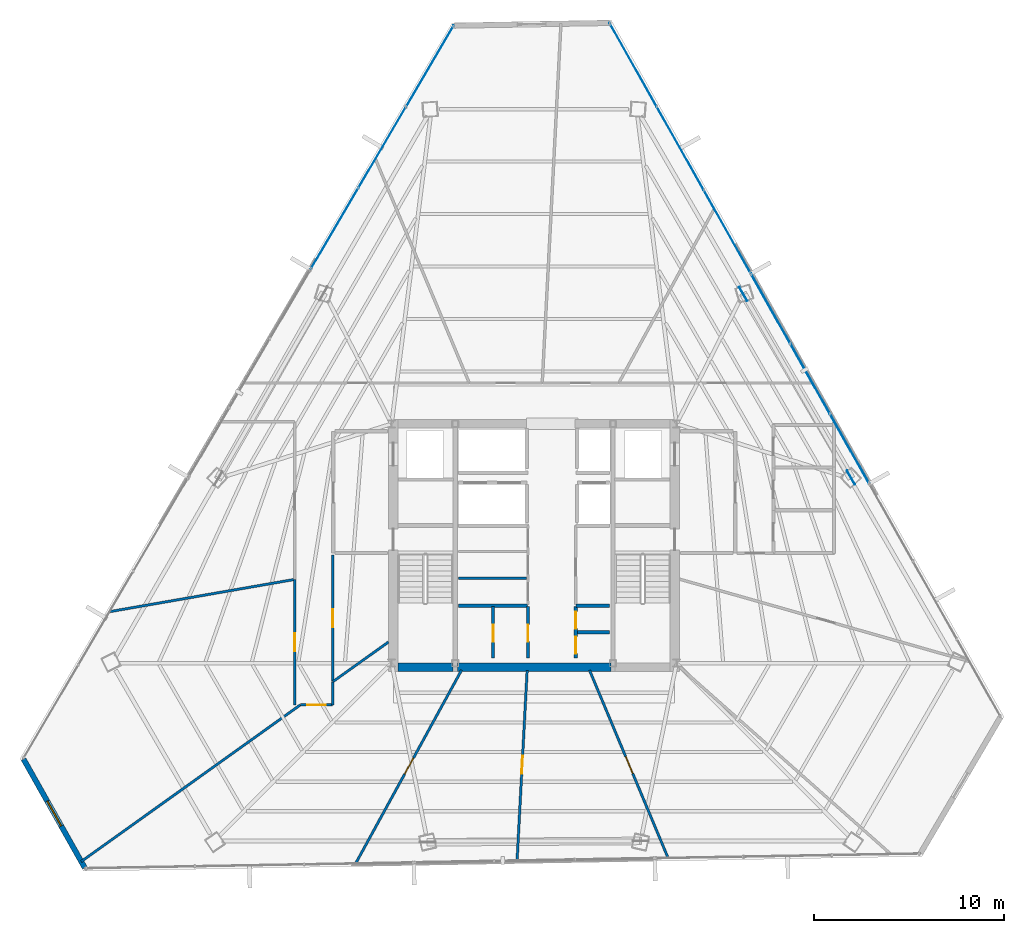
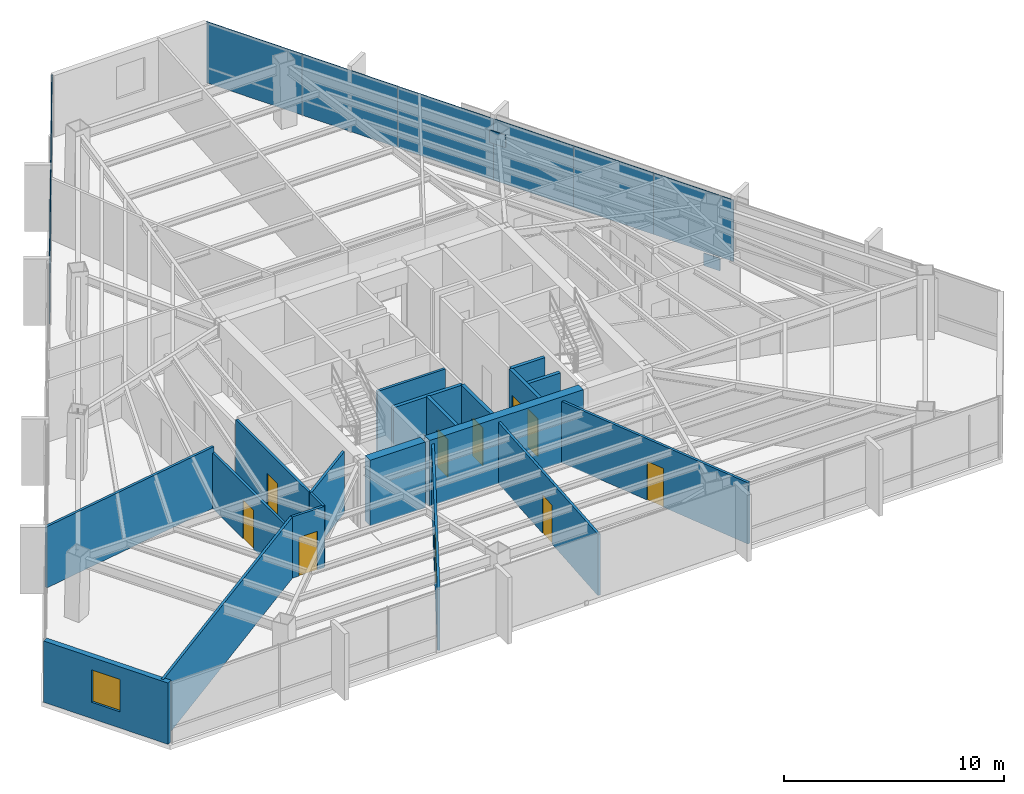
# One storey, part 35 of 42: 20 walls, 11 plates, 10 doors, 1 window, 11 openings, 3 elements without a shape of their own.
"""IFC4 building model written with IfcOpenShell, lengths in metres."""

from ifc_helpers import new_model, si_unit, direction, frame, frame_2d, origin, origin_2d, place, context, subcontext, project, spatial, rectangle, extrude, source, transform, mapped, material, layer, layer_set, type_object, type_shapes, element, fill, aggregate, save


model = new_model("IFC4")

# Units and contexts
model_context = context("Model", 3, precision=1e-05, world=origin(), true_north=direction((0.0, 1.0)))
body_context = subcontext(model_context, "Body", "Model", "MODEL_VIEW")
ifc_project = project(units=[si_unit("LENGTHUNIT", "METRE"), si_unit("AREAUNIT", "SQUARE_METRE"), si_unit("VOLUMEUNIT", "CUBIC_METRE"), si_unit("PLANEANGLEUNIT", "RADIAN"), si_unit("MASSUNIT", "GRAM", prefix="KILO")], contexts=[model_context])

# Site, building, storey
site_placement = place(None, origin())
site = spatial("IfcSite", under=ifc_project, at=site_placement, CompositionType="ELEMENT")
building_placement = place(site_placement, origin())
building = spatial("IfcBuilding", under=site, at=building_placement, Name="Caelisora Broadcast Tower", CompositionType="ELEMENT")
storey_placement = place(building_placement, frame((0.0, 0.0, 187.699951171875)))
storey = spatial("IfcBuildingStorey", under=building, at=storey_placement, Name="L49", CompositionType="ELEMENT", Elevation=187.699951171875)

# Plates
ifc_material_1 = material(Name="Steel Grade 350 L15 (AS/NZS 3678)", Category="steel")
ifc_layer_1 = layer(ifc_material_1, 0.0400390625, Name="Steel Grade 350 L15 (AS/NZS 3678)")
ifc_layer_set_1 = layer_set([ifc_layer_1], Name="Steel Grade 350 L15 (AS/NZS 3678)")
plate_type_1 = type_object("IfcPlateType", Name="GP04", PredefinedType="USERDEFINED", material=ifc_layer_set_1)
shared_shape_1 = source(origin(), body_context, "Body", "SweptSolid", [
    extrude(rectangle(XDim=0.85009765625, YDim=0.0400390625, at=origin_2d()), origin(), (0.0, 0.0, 1.0), 0.699951171875),
])
type_shapes(plate_type_1, [shared_shape_1])
for number, where, z_axis, x_axis, name in (
    (1, (54.679443359375, 27.16796875, -0.22998046875), (0.0, 0.0, 1.0), (-0.5, 0.866025403784, 0.0), "L49 gusset plate GP04 (ND-L49-C10B)"),
    (2, (49.012451171875, 36.8388671875, 2.72998046875), (0.0, 0.0, 1.0), (-0.5, 0.866025403784, 0.0), "L49 gusset plate GP04 (ND-L49-C11T)"),
):
    element("IfcPlate", number, at=place(storey_placement, frame(where, z_axis=z_axis, x_axis=x_axis)), inside=storey, type_object=plate_type_1, Name=name, ObjectType="GUSSET PLATE", PredefinedType="USERDEFINED", context=body_context, shape_type="MappedRepresentation", body=[
        mapped(shared_shape_1, transform((0.0, 0.0, 0.0), scale=1.0)),
    ])

# Curtain wall, plates
ifc_material_2 = material(Name="Unitised Aluminium and Low-E Glass Curtain Wall", Category="glass")
curtain_wall_type_1 = type_object("IfcCurtainWallType", Name="CW-Z4", PredefinedType="NOTDEFINED", material=ifc_material_2)
curtain_wall_1_placement = place(storey_placement, origin())
curtain_wall_1 = element("IfcCurtainWall", 3, at=curtain_wall_1_placement, inside=storey, type_object=curtain_wall_type_1, Name="L49 curtain wall CW-Z4", PredefinedType="NOTDEFINED")
ifc_material_3 = material(Name="Double Glazed Low-E Argon IGU", Category="glass")
ifc_layer_2 = layer(ifc_material_3, 0.030029296875, Name="Double Glazed Low-E Argon IGU")
ifc_layer_set_2 = layer_set([ifc_layer_2], Name="Double Glazed Low-E Argon IGU")
plate_type_2 = type_object("IfcPlateType", Name="CWP-05", PredefinedType="CURTAIN_PANEL", material=ifc_layer_set_2)
shared_shape_2 = source(origin(), body_context, "Body", "SweptSolid", [
    extrude(rectangle(XDim=5.048583984375, YDim=0.030029296875, at=origin_2d()), origin(), (0.0, 0.0, 1.0), 3.39990234375),
])
plate_1_placement = place(storey_placement, frame((43.21337890625, 48.906982421875, 0.0), z_axis=(0.0, 0.0, 1.0), x_axis=(0.491055801632, -0.871128118983, 0.0)))
plate_1 = element("IfcPlate", 4, at=plate_1_placement, type_object=plate_type_2, Name="L49-CW-B01 glazed panel #1", PredefinedType="CURTAIN_PANEL", context=body_context, shape_type="MappedRepresentation", body=[
    mapped(shared_shape_2, transform((0.0, 0.0, 0.0), scale=1.0)),
])
plate_2_placement = place(storey_placement, frame((45.692626953125, 44.50927734375, 0.0), z_axis=(0.0, 0.0, 1.0), x_axis=(0.491055801632, -0.871128118983, 0.0)))
plate_2 = element("IfcPlate", 5, at=plate_2_placement, type_object=plate_type_2, Name="L49-CW-B01 glazed panel #2", PredefinedType="CURTAIN_PANEL", context=body_context, shape_type="MappedRepresentation", body=[
    mapped(shared_shape_2, transform((0.0, 0.0, 0.0), scale=1.0)),
])
plate_3_placement = place(storey_placement, frame((48.171630859375, 40.111328125, 0.0), z_axis=(0.0, 0.0, 1.0), x_axis=(0.491055801632, -0.871128118983, 0.0)))
plate_3 = element("IfcPlate", 6, at=plate_3_placement, type_object=plate_type_2, Name="L49-CW-B01 glazed panel #3", PredefinedType="CURTAIN_PANEL", context=body_context, shape_type="MappedRepresentation", body=[
    mapped(shared_shape_2, transform((0.0, 0.0, 0.0), scale=1.0)),
])
aggregate(curtain_wall_1, [plate_1, plate_2, plate_3])

ifc_material_4 = material(Name="Unitised Aluminium Insulated Shadow-Box Spandrel Curtain Wall", Category="aluminium")
curtain_wall_type_2 = type_object("IfcCurtainWallType", Name="CW-SP2", PredefinedType="NOTDEFINED", material=ifc_material_4)
curtain_wall_2_placement = place(storey_placement, origin())
curtain_wall_2 = element("IfcCurtainWall", 7, at=curtain_wall_2_placement, inside=storey, type_object=curtain_wall_type_2, Name="L49 curtain wall CW-SP2", PredefinedType="NOTDEFINED")
ifc_material_5 = material(Name="Insulated Terracotta Shadow-Box Spandrel Panel", Category="aluminium")
ifc_layer_3 = layer(ifc_material_5, 0.0439453125, Name="Insulated Terracotta Shadow-Box Spandrel Panel")
ifc_layer_set_3 = layer_set([ifc_layer_3], Name="Insulated Terracotta Shadow-Box Spandrel Panel")
plate_type_3 = type_object("IfcPlateType", Name="CWP-10", PredefinedType="CURTAIN_PANEL", material=ifc_layer_set_3)
shared_shape_3 = source(origin(), body_context, "Body", "SweptSolid", [
    extrude(rectangle(XDim=4.227294921875, YDim=0.0439453125, at=origin_2d()), origin(), (0.0, 0.0, 1.0), 3.39990234375),
])
type_shapes(plate_type_3, [shared_shape_3])
plate_4_placement = place(storey_placement, frame((50.4541015625, 36.0625, 0.0), z_axis=(0.0, 0.0, 1.0), x_axis=(0.491055801632, -0.871128118983, 0.0)))
plate_4 = element("IfcPlate", 8, at=plate_4_placement, type_object=plate_type_3, Name="L49-CW-B02 spandrel panel #1", PredefinedType="CURTAIN_PANEL", context=body_context, shape_type="MappedRepresentation", body=[
    mapped(shared_shape_3, transform((0.0, 0.0, 0.0), scale=1.0)),
])
plate_5_placement = place(storey_placement, frame((52.52978515625, 32.3798828125, 0.0), z_axis=(0.0, 0.0, 1.0), x_axis=(0.491055801632, -0.871128118983, 0.0)))
plate_5 = element("IfcPlate", 9, at=plate_5_placement, type_object=plate_type_3, Name="L49-CW-B02 spandrel panel #2", PredefinedType="CURTAIN_PANEL", context=body_context, shape_type="MappedRepresentation", body=[
    mapped(shared_shape_3, transform((0.0, 0.0, 0.0), scale=1.0)),
])
plate_6_placement = place(storey_placement, frame((54.605712890625, 28.697509765625, 0.0), z_axis=(0.0, 0.0, 1.0), x_axis=(0.491055801632, -0.871128118983, 0.0)))
plate_6 = element("IfcPlate", 10, at=plate_6_placement, type_object=plate_type_3, Name="L49-CW-B02 spandrel panel #3", PredefinedType="CURTAIN_PANEL", context=body_context, shape_type="MappedRepresentation", body=[
    mapped(shared_shape_3, transform((0.0, 0.0, 0.0), scale=1.0)),
])
aggregate(curtain_wall_2, [plate_4, plate_5, plate_6])

curtain_wall_3_placement = place(storey_placement, origin())
curtain_wall_3 = element("IfcCurtainWall", 11, at=curtain_wall_3_placement, inside=storey, type_object=curtain_wall_type_1, Name="L49 curtain wall CW-Z4", PredefinedType="NOTDEFINED")
shared_shape_4 = source(origin(), body_context, "Body", "SweptSolid", [
    extrude(rectangle(XDim=4.95849609375, YDim=0.030029296875, at=origin_2d()), origin(), (0.0, 0.0, 1.0), 3.39990234375),
])
type_shapes(plate_type_2, [shared_shape_2, shared_shape_4])
plate_7_placement = place(storey_placement, frame((27.494384765625, 40.272216796875, 0.0), z_axis=(0.0, 0.0, 1.0), x_axis=(0.506334807353, 0.862336977557, 0.0)))
plate_7 = element("IfcPlate", 12, at=plate_7_placement, type_object=plate_type_2, Name="L49-CW-B11 glazed panel #1", PredefinedType="CURTAIN_PANEL", context=body_context, shape_type="MappedRepresentation", body=[
    mapped(shared_shape_4, transform((0.0, 0.0, 0.0), scale=1.0)),
])
plate_8_placement = place(storey_placement, frame((30.0048828125, 44.548095703125, 0.0), z_axis=(0.0, 0.0, 1.0), x_axis=(0.506334807353, 0.862336977557, 0.0)))
plate_8 = element("IfcPlate", 13, at=plate_8_placement, type_object=plate_type_2, Name="L49-CW-B11 glazed panel #2", PredefinedType="CURTAIN_PANEL", context=body_context, shape_type="MappedRepresentation", body=[
    mapped(shared_shape_4, transform((0.0, 0.0, 0.0), scale=1.0)),
])
plate_9_placement = place(storey_placement, frame((32.515625, 48.82421875, 0.0), z_axis=(0.0, 0.0, 1.0), x_axis=(0.506334807353, 0.862336977557, 0.0)))
plate_9 = element("IfcPlate", 14, at=plate_9_placement, type_object=plate_type_2, Name="L49-CW-B11 glazed panel #3", PredefinedType="CURTAIN_PANEL", context=body_context, shape_type="MappedRepresentation", body=[
    mapped(shared_shape_4, transform((0.0, 0.0, 0.0), scale=1.0)),
])
aggregate(curtain_wall_3, [plate_7, plate_8, plate_9])

# Walls
ifc_material_6 = material(Name="Concrete 50 MPa (AS 3600 S50)", Category="concrete")
ifc_layer_4 = layer(ifc_material_6, 0.449951171875, Name="Concrete 50 MPa (AS 3600 S50)")
ifc_layer_set_4 = layer_set([ifc_layer_4], Name="Concrete 50 MPa (AS 3600 S50)")
wall_type_1 = type_object("IfcWallType", Name="CW5", PredefinedType="SHEAR", material=ifc_layer_set_4)
wall_1_placement = place(storey_placement, frame((30.840087890625, 17.175048828125, 0.0), z_axis=(0.0, 0.0, 1.0), x_axis=(1.0, 0.0, 0.0)))
element("IfcWall", 15, at=wall_1_placement, inside=storey, type_object=wall_type_1, Name="L49 core shear wall CW5", PredefinedType="SHEAR", context=body_context, shape_type="SweptSolid", body=[
    extrude(rectangle(XDim=2.89990234375, YDim=0.449951171875, at=frame_2d((1.449951171875, 0.0))), origin(), (0.0, 0.0, 1.0), 3.650146484375),
])
wall_2_placement = place(storey_placement, frame((33.9599609375, 17.175048828125, 0.0), z_axis=(0.0, 0.0, 1.0), x_axis=(1.0, 0.0, 0.0)))
element("IfcWall", 16, at=wall_2_placement, inside=storey, type_object=wall_type_1, Name="L49 core shear wall CW5", PredefinedType="SHEAR", context=body_context, shape_type="SweptSolid", body=[
    extrude(rectangle(XDim=8.080078125, YDim=0.449951171875, at=frame_2d((4.0400390625, 0.0))), origin(), (0.0, 0.0, 1.0), 3.650146484375),
])

# Wall, opening, window
ifc_material_7 = material(Name="Insulated Terracotta Spandrel Wall System", Category="masonry")
ifc_layer_5 = layer(ifc_material_7, 0.280029296875, Name="Insulated Terracotta Spandrel Wall System")
ifc_layer_set_5 = layer_set([ifc_layer_5], Name="Insulated Terracotta Spandrel Wall System")
wall_type_2 = type_object("IfcWallType", Name="EW1", PredefinedType="STANDARD", material=ifc_layer_set_5)
wall_3_placement = place(storey_placement, frame((14.352294921875, 6.626220703125, 0.0), z_axis=(0.0, 0.0, 1.0), x_axis=(-0.491214151072, 0.871038838277, 0.0)))
wall_3 = element("IfcWall", 17, at=wall_3_placement, inside=storey, type_object=wall_type_2, Name="L49 exterior envelope wall EW1", PredefinedType="STANDARD", context=body_context, shape_type="SweptSolid", body=[
    extrude(rectangle(XDim=6.566650390625, YDim=0.280029296875, at=frame_2d((3.283203125, 0.0))), origin(), (0.0, 0.0, 1.0), 3.400146484375),
])
opening_1_placement = place(wall_3_placement, frame((2.530029296875, 0.0, 0.89990234375)))
opening_1 = element("IfcOpeningElement", 18, at=opening_1_placement, cuts=wall_3, Name="Opening W02", PredefinedType="OPENING", context=body_context, shape_type="SweptSolid", body=[
    extrude(rectangle(XDim=1.5, YDim=1.800048828125, at=frame_2d((0.75, 0.89990234375))), frame((0.0, 0.152099609375, 0.0), z_axis=(0.0, -1.0, 0.0), x_axis=(1.0, 0.0, 0.0)), (0.0, 0.0, 1.0), 0.303955078125),
])
ifc_material_8 = material(Name="Double Glazed Terracotta-Framed Vision Window", Category="glass")
window_type = type_object("IfcWindowType", Name="W02", PartitioningType="SINGLE_PANEL", PredefinedType="WINDOW", material=ifc_material_8)
window_placement = place(opening_1_placement, origin())
window = element("IfcWindow", 19, at=window_placement, inside=storey, type_object=window_type, Name="L49 window W02 (L49-WN-CH4)", OverallHeight=1.800048828125, OverallWidth=1.5, PartitioningType="SINGLE_PANEL", PredefinedType="WINDOW", context=body_context, shape_type="SweptSolid", body=[
    extrude(rectangle(XDim=1.5, YDim=1.800048828125, at=frame_2d((0.75, 0.89990234375))), frame((0.0, 0.030029296875, 0.0), z_axis=(0.0, -1.0, 0.0), x_axis=(1.0, 0.0, 0.0)), (0.0, 0.0, 1.0), 0.06005859375),
])
fill(opening_1, window)

# Walls
ifc_material_9 = material(Name="Fire-Rated Gypsum Shaft and Compartment Wall", Category="gypsum")
ifc_layer_6 = layer(ifc_material_9, 0.179931640625, Name="Fire-Rated Gypsum Shaft and Compartment Wall")
ifc_layer_set_6 = layer_set([ifc_layer_6], Name="Fire-Rated Gypsum Shaft and Compartment Wall")
wall_type_3 = type_object("IfcWallType", Name="PW2", PredefinedType="PARTITIONING", material=ifc_layer_set_6)
wall_4_placement = place(storey_placement, frame((34.02001953125, 20.419921875, 0.0), z_axis=(0.0, 0.0, 1.0), x_axis=(1.0, 0.0, 0.0)))
element("IfcWall", 20, at=wall_4_placement, inside=storey, type_object=wall_type_3, Name="L49 fire compartment wall PW2", PredefinedType="PARTITIONING", context=body_context, shape_type="SweptSolid", body=[
    extrude(rectangle(XDim=3.639892578125, YDim=0.179931640625, at=frame_2d((1.81982421875, 0.0))), origin(), (0.0, 0.0, 1.0), 3.400146484375),
])
wall_5_placement = place(storey_placement, frame((40.219970703125, 20.419921875, 0.0), z_axis=(0.0, 0.0, 1.0), x_axis=(1.0, 0.0, 0.0)))
element("IfcWall", 21, at=wall_5_placement, inside=storey, type_object=wall_type_3, Name="L49 fire compartment wall PW2", PredefinedType="PARTITIONING", context=body_context, shape_type="SweptSolid", body=[
    extrude(rectangle(XDim=1.760009765625, YDim=0.179931640625, at=frame_2d((0.8798828125, 0.0))), origin(), (0.0, 0.0, 1.0), 3.400146484375),
])

# Wall, opening, door
wall_6_placement = place(storey_placement, frame((35.840087890625, 17.679931640625, 0.0), z_axis=(0.0, 0.0, 1.0), x_axis=(0.0, 1.0, 0.0)))
wall_6 = element("IfcWall", 22, at=wall_6_placement, inside=storey, type_object=wall_type_3, Name="L49 fire compartment wall PW2", PredefinedType="PARTITIONING", context=body_context, shape_type="SweptSolid", body=[
    extrude(rectangle(XDim=2.699951171875, YDim=0.179931640625, at=frame_2d((1.35009765625, 0.0))), origin(), (0.0, 0.0, 1.0), 3.400146484375),
])
opening_2_placement = place(wall_6_placement, frame((0.85009765625, 0.0, 0.0)))
opening_2 = element("IfcOpeningElement", 23, at=opening_2_placement, cuts=wall_6, Name="Opening FD03", PredefinedType="OPENING", context=body_context, shape_type="SweptSolid", body=[
    extrude(rectangle(XDim=0.89990234375, YDim=2.10009765625, at=frame_2d((0.449951171875, 1.050048828125))), frame((0.0, 0.10205078125, 0.0), z_axis=(0.0, -1.0, 0.0), x_axis=(1.0, 0.0, 0.0)), (0.0, 0.0, 1.0), 0.203857421875),
])
ifc_material_10 = material(Name="Single-Leaf Steel Riser Fire Access Door", Category="steel")
door_type_1 = type_object("IfcDoorType", Name="FD03", OperationType="NOTDEFINED", PredefinedType="DOOR", material=ifc_material_10)
door_1_placement = place(opening_2_placement, origin())
door_1 = element("IfcDoor", 24, at=door_1_placement, inside=storey, type_object=door_type_1, Name="L49 door FD03 (L49-DR-P15D1)", OperationType="SINGLE_SWING_RIGHT", OverallHeight=2.10009765625, OverallWidth=0.89990234375, PredefinedType="DOOR", context=body_context, shape_type="SweptSolid", body=[
    extrude(rectangle(XDim=0.89990234375, YDim=2.10009765625, at=frame_2d((0.449951171875, 1.050048828125))), frame((0.0, 0.02490234375, 0.0), z_axis=(0.0, -1.0, 0.0), x_axis=(1.0, 0.0, 0.0)), (0.0, 0.0, 1.0), 0.050048828125),
])
fill(opening_2, door_1)

wall_7_placement = place(storey_placement, frame((37.679931640625, 17.679931640625, 0.0), z_axis=(0.0, 0.0, 1.0), x_axis=(0.0, 1.0, 0.0)))
wall_7 = element("IfcWall", 25, at=wall_7_placement, inside=storey, type_object=wall_type_3, Name="L49 fire compartment wall PW2", PredefinedType="PARTITIONING", context=body_context, shape_type="SweptSolid", body=[
    extrude(rectangle(XDim=2.699951171875, YDim=0.179931640625, at=frame_2d((1.35009765625, 0.0))), origin(), (0.0, 0.0, 1.0), 3.400146484375),
])
opening_3_placement = place(wall_7_placement, frame((0.85009765625, 0.0, 0.0)))
opening_3 = element("IfcOpeningElement", 26, at=opening_3_placement, cuts=wall_7, Name="Opening FD03", PredefinedType="OPENING", context=body_context, shape_type="SweptSolid", body=[
    extrude(rectangle(XDim=0.89990234375, YDim=2.10009765625, at=frame_2d((0.449951171875, 1.050048828125))), frame((0.0, 0.10205078125, 0.0), z_axis=(0.0, -1.0, 0.0), x_axis=(1.0, 0.0, 0.0)), (0.0, 0.0, 1.0), 0.203857421875),
])
door_2_placement = place(opening_3_placement, origin())
door_2 = element("IfcDoor", 27, at=door_2_placement, inside=storey, type_object=door_type_1, Name="L49 door FD03 (L49-DR-P16D1)", OperationType="SINGLE_SWING_LEFT", OverallHeight=2.10009765625, OverallWidth=0.89990234375, PredefinedType="DOOR", context=body_context, shape_type="SweptSolid", body=[
    extrude(rectangle(XDim=0.89990234375, YDim=2.10009765625, at=frame_2d((0.449951171875, 1.050048828125))), frame((0.0, 0.02490234375, 0.0), z_axis=(0.0, -1.0, 0.0), x_axis=(1.0, 0.0, 0.0)), (0.0, 0.0, 1.0), 0.050048828125),
])
fill(opening_3, door_2)

# Wall
wall_8_placement = place(storey_placement, frame((40.280029296875, 19.02001953125, 0.0), z_axis=(0.0, 0.0, 1.0), x_axis=(1.0, 0.0, 0.0)))
element("IfcWall", 28, at=wall_8_placement, inside=storey, type_object=wall_type_3, Name="L49 fire compartment wall PW2", PredefinedType="PARTITIONING", context=body_context, shape_type="SweptSolid", body=[
    extrude(rectangle(XDim=1.699951171875, YDim=0.179931640625, at=frame_2d((0.85009765625, 0.0))), origin(), (0.0, 0.0, 1.0), 3.400146484375),
])

# Wall, openings, doors
wall_9_placement = place(storey_placement, frame((40.199951171875, 17.679931640625, 0.0), z_axis=(0.0, 0.0, 1.0), x_axis=(0.0, 1.0, 0.0)))
wall_9 = element("IfcWall", 29, at=wall_9_placement, inside=storey, type_object=wall_type_3, Name="L49 fire compartment wall PW2", PredefinedType="PARTITIONING", context=body_context, shape_type="SweptSolid", body=[
    extrude(rectangle(XDim=2.699951171875, YDim=0.179931640625, at=frame_2d((1.35009765625, 0.0))), origin(), (0.0, 0.0, 1.0), 3.400146484375),
])
opening_4_placement = place(wall_9_placement, frame((0.219970703125, 0.0, 0.0)))
opening_4 = element("IfcOpeningElement", 30, at=opening_4_placement, cuts=wall_9, Name="Opening FD03", PredefinedType="OPENING", context=body_context, shape_type="SweptSolid", body=[
    extrude(rectangle(XDim=0.89990234375, YDim=2.10009765625, at=frame_2d((0.449951171875, 1.050048828125))), frame((0.0, 0.10205078125, 0.0), z_axis=(0.0, -1.0, 0.0), x_axis=(1.0, 0.0, 0.0)), (0.0, 0.0, 1.0), 0.203857421875),
])
opening_5_placement = place(wall_9_placement, frame((1.5400390625, 0.0, 0.0)))
opening_5 = element("IfcOpeningElement", 31, at=opening_5_placement, cuts=wall_9, Name="Opening FD03", PredefinedType="OPENING", context=body_context, shape_type="SweptSolid", body=[
    extrude(rectangle(XDim=0.89990234375, YDim=2.10009765625, at=frame_2d((0.449951171875, 1.050048828125))), frame((0.0, 0.10205078125, 0.0), z_axis=(0.0, -1.0, 0.0), x_axis=(1.0, 0.0, 0.0)), (0.0, 0.0, 1.0), 0.203857421875),
])
door_3_placement = place(opening_4_placement, origin())
door_3 = element("IfcDoor", 32, at=door_3_placement, inside=storey, type_object=door_type_1, Name="L49 door FD03 (L49-DR-P18D1)", OperationType="SINGLE_SWING_RIGHT", OverallHeight=2.10009765625, OverallWidth=0.89990234375, PredefinedType="DOOR", context=body_context, shape_type="SweptSolid", body=[
    extrude(rectangle(XDim=0.89990234375, YDim=2.10009765625, at=frame_2d((0.449951171875, 1.050048828125))), frame((0.0, 0.02490234375, 0.0), z_axis=(0.0, -1.0, 0.0), x_axis=(1.0, 0.0, 0.0)), (0.0, 0.0, 1.0), 0.050048828125),
])
fill(opening_4, door_3)
door_4_placement = place(opening_5_placement, origin())
door_4 = element("IfcDoor", 33, at=door_4_placement, inside=storey, type_object=door_type_1, Name="L49 door FD03 (L49-DR-P18D2)", OperationType="SINGLE_SWING_LEFT", OverallHeight=2.10009765625, OverallWidth=0.89990234375, PredefinedType="DOOR", context=body_context, shape_type="SweptSolid", body=[
    extrude(rectangle(XDim=0.89990234375, YDim=2.10009765625, at=frame_2d((0.449951171875, 1.050048828125))), frame((0.0, 0.02490234375, 0.0), z_axis=(0.0, -1.0, 0.0), x_axis=(1.0, 0.0, 0.0)), (0.0, 0.0, 1.0), 0.050048828125),
])
fill(opening_5, door_4)

# Walls
ifc_material_11 = material(Name="Acoustic Steel-Stud Plasterboard Partition", Category="gypsum")
ifc_layer_7 = layer(ifc_material_11, 0.1298828125, Name="Acoustic Steel-Stud Plasterboard Partition")
ifc_layer_set_7 = layer_set([ifc_layer_7], Name="Acoustic Steel-Stud Plasterboard Partition")
wall_type_4 = type_object("IfcWallType", Name="PW3", PredefinedType="PARTITIONING", material=ifc_layer_set_7)
wall_10_placement = place(storey_placement, frame((34.02001953125, 21.8798828125, 0.0), z_axis=(0.0, 0.0, 1.0), x_axis=(1.0, 0.0, 0.0)))
element("IfcWall", 34, at=wall_10_placement, inside=storey, type_object=wall_type_4, Name="L49 internal partition PW3", PredefinedType="PARTITIONING", context=body_context, shape_type="SweptSolid", body=[
    extrude(rectangle(XDim=3.580078125, YDim=0.1298828125, at=frame_2d((1.7900390625, 0.0))), origin(), (0.0, 0.0, 1.0), 3.400146484375),
])
wall_11_placement = place(storey_placement, frame((14.15966796875, 6.956787109375, 0.0), z_axis=(0.0, 0.0, 1.0), x_axis=(0.813495899003, 0.581570651172, 0.0)))
element("IfcWall", 35, at=wall_11_placement, inside=storey, type_object=wall_type_4, Name="L49 internal partition PW3", PredefinedType="PARTITIONING", context=body_context, shape_type="SweptSolid", body=[
    extrude(rectangle(XDim=14.1689453125, YDim=0.1298828125, at=frame_2d((7.08447265625, 0.0))), origin(), (0.0, 0.0, 1.0), 3.400146484375),
])

# Wall, opening, door
wall_12_placement = place(storey_placement, frame((28.60205078125, 6.84521484375, 0.0), z_axis=(0.0, 0.0, 1.0), x_axis=(0.480479744132, 0.877005824085, 0.0)))
wall_12 = element("IfcWall", 36, at=wall_12_placement, inside=storey, type_object=wall_type_4, Name="L49 internal partition PW3", PredefinedType="PARTITIONING", context=body_context, shape_type="SweptSolid", body=[
    extrude(rectangle(XDim=11.61767578125, YDim=0.1298828125, at=frame_2d((5.808837890625, 0.0))), origin(), (0.0, 0.0, 1.0), 3.400146484375),
])
opening_6_placement = place(wall_12_placement, frame((5.383056640625, 0.0, 0.0)))
opening_6 = element("IfcOpeningElement", 37, at=opening_6_placement, cuts=wall_12, Name="Opening D01", PredefinedType="OPENING", context=body_context, shape_type="SweptSolid", body=[
    extrude(rectangle(XDim=0.9599609375, YDim=2.14990234375, at=frame_2d((0.47998046875, 1.074951171875))), frame((0.0, 0.076904296875, 0.0), z_axis=(0.0, -1.0, 0.0), x_axis=(1.0, 0.0, 0.0)), (0.0, 0.0, 1.0), 0.15380859375),
])
ifc_material_12 = material(Name="Solid-Core Timber Acoustic Office Door", Category="wood")
door_type_2 = type_object("IfcDoorType", Name="D01", OperationType="NOTDEFINED", PredefinedType="DOOR", material=ifc_material_12)
door_5_placement = place(opening_6_placement, origin())
door_5 = element("IfcDoor", 38, at=door_5_placement, inside=storey, type_object=door_type_2, Name="L49 door D01 (L49-DR-P35D1)", OperationType="SINGLE_SWING_LEFT", OverallHeight=2.14990234375, OverallWidth=0.9599609375, PredefinedType="DOOR", context=body_context, shape_type="SweptSolid", body=[
    extrude(rectangle(XDim=0.9599609375, YDim=2.14990234375, at=frame_2d((0.47998046875, 1.074951171875))), frame((0.0, 0.02490234375, 0.0), z_axis=(0.0, -1.0, 0.0), x_axis=(1.0, 0.0, 0.0)), (0.0, 0.0, 1.0), 0.050048828125),
])
fill(opening_6, door_5)

wall_13_placement = place(storey_placement, frame((40.9189453125, 17.031005859375, 0.0), z_axis=(0.0, 0.0, 1.0), x_axis=(0.386038561602, -0.922482644257, 0.0)))
wall_13 = element("IfcWall", 39, at=wall_13_placement, inside=storey, type_object=wall_type_4, Name="L49 internal partition PW3", PredefinedType="PARTITIONING", context=body_context, shape_type="SweptSolid", body=[
    extrude(rectangle(XDim=10.727783203125, YDim=0.1298828125, at=frame_2d((5.36376953125, 0.0))), origin(), (0.0, 0.0, 1.0), 3.400146484375),
])
opening_7_placement = place(wall_13_placement, frame((4.93505859375, 0.0, 0.0)))
opening_7 = element("IfcOpeningElement", 40, at=opening_7_placement, cuts=wall_13, Name="Opening D01", PredefinedType="OPENING", context=body_context, shape_type="SweptSolid", body=[
    extrude(rectangle(XDim=0.9599609375, YDim=2.14990234375, at=frame_2d((0.47998046875, 1.074951171875))), frame((0.0, 0.076904296875, 0.0), z_axis=(0.0, -1.0, 0.0), x_axis=(1.0, 0.0, 0.0)), (0.0, 0.0, 1.0), 0.15380859375),
])
door_6_placement = place(opening_7_placement, origin())
door_6 = element("IfcDoor", 41, at=door_6_placement, inside=storey, type_object=door_type_2, Name="L49 door D01 (L49-DR-P36D1)", OperationType="SINGLE_SWING_RIGHT", OverallHeight=2.14990234375, OverallWidth=0.9599609375, PredefinedType="DOOR", context=body_context, shape_type="SweptSolid", body=[
    extrude(rectangle(XDim=0.9599609375, YDim=2.14990234375, at=frame_2d((0.47998046875, 1.074951171875))), frame((0.0, 0.02490234375, 0.0), z_axis=(0.0, -1.0, 0.0), x_axis=(1.0, 0.0, 0.0)), (0.0, 0.0, 1.0), 0.050048828125),
])
fill(opening_7, door_6)

wall_14_placement = place(storey_placement, frame((37.10498046875, 6.994873046875, 0.0), z_axis=(0.0, 0.0, 1.0), x_axis=(0.052867568887, 0.998601532224, 0.0)))
wall_14 = element("IfcWall", 42, at=wall_14_placement, inside=storey, type_object=wall_type_4, Name="L49 internal partition PW3", PredefinedType="PARTITIONING", context=body_context, shape_type="SweptSolid", body=[
    extrude(rectangle(XDim=10.044189453125, YDim=0.1298828125, at=frame_2d((5.02197265625, 0.0))), origin(), (0.0, 0.0, 1.0), 3.400146484375),
])
opening_8_placement = place(wall_14_placement, frame((4.590087890625, 0.0, 0.0)))
opening_8 = element("IfcOpeningElement", 43, at=opening_8_placement, cuts=wall_14, Name="Opening D01", PredefinedType="OPENING", context=body_context, shape_type="SweptSolid", body=[
    extrude(rectangle(XDim=0.9599609375, YDim=2.14990234375, at=frame_2d((0.47998046875, 1.074951171875))), frame((0.0, 0.076904296875, 0.0), z_axis=(0.0, -1.0, 0.0), x_axis=(1.0, 0.0, 0.0)), (0.0, 0.0, 1.0), 0.15380859375),
])
door_7_placement = place(opening_8_placement, origin())
door_7 = element("IfcDoor", 44, at=door_7_placement, inside=storey, type_object=door_type_2, Name="L49 door D01 (L49-DR-P40D1)", OperationType="SINGLE_SWING_RIGHT", OverallHeight=2.14990234375, OverallWidth=0.9599609375, PredefinedType="DOOR", context=body_context, shape_type="SweptSolid", body=[
    extrude(rectangle(XDim=0.9599609375, YDim=2.14990234375, at=frame_2d((0.47998046875, 1.074951171875))), frame((0.0, 0.02490234375, 0.0), z_axis=(0.0, -1.0, 0.0), x_axis=(1.0, 0.0, 0.0)), (0.0, 0.0, 1.0), 0.050048828125),
])
fill(opening_8, door_7)

# Wall
wall_15_placement = place(storey_placement, frame((15.64990234375, 20.11083984375, 0.0), z_axis=(0.0, 0.0, 1.0), x_axis=(0.985153006879, 0.171678633026, 0.0)))
element("IfcWall", 45, at=wall_15_placement, inside=storey, type_object=wall_type_4, Name="L49 internal partition PW3", PredefinedType="PARTITIONING", context=body_context, shape_type="SweptSolid", body=[
    extrude(rectangle(XDim=9.89208984375, YDim=0.1298828125, at=frame_2d((4.946044921875, 0.0))), origin(), (0.0, 0.0, 1.0), 3.400146484375),
])

# Wall, opening, door
wall_16_placement = place(storey_placement, frame((27.39990234375, 16.425048828125, 0.0), z_axis=(0.0, 0.0, 1.0), x_axis=(0.0, 1.0, 0.0)))
wall_16 = element("IfcWall", 46, at=wall_16_placement, inside=storey, type_object=wall_type_4, Name="L49 internal partition PW3", PredefinedType="PARTITIONING", context=body_context, shape_type="SweptSolid", body=[
    extrude(rectangle(XDim=6.679931640625, YDim=0.1298828125, at=frame_2d((3.33984375, 0.0))), origin(), (0.0, 0.0, 1.0), 3.400146484375),
])
opening_9_placement = place(wall_16_placement, frame((2.860107421875, 0.0, 0.0)))
opening_9 = element("IfcOpeningElement", 47, at=opening_9_placement, cuts=wall_16, Name="Opening D01", PredefinedType="OPENING", context=body_context, shape_type="SweptSolid", body=[
    extrude(rectangle(XDim=0.9599609375, YDim=2.14990234375, at=frame_2d((0.47998046875, 1.074951171875))), frame((0.0, 0.076904296875, 0.0), z_axis=(0.0, -1.0, 0.0), x_axis=(1.0, 0.0, 0.0)), (0.0, 0.0, 1.0), 0.15380859375),
])
door_8_placement = place(opening_9_placement, origin())
door_8 = element("IfcDoor", 48, at=door_8_placement, inside=storey, type_object=door_type_2, Name="L49 door D01 (L49-DR-P44D1)", OperationType="SINGLE_SWING_RIGHT", OverallHeight=2.14990234375, OverallWidth=0.9599609375, PredefinedType="DOOR", context=body_context, shape_type="SweptSolid", body=[
    extrude(rectangle(XDim=0.9599609375, YDim=2.14990234375, at=frame_2d((0.47998046875, 1.074951171875))), frame((0.0, 0.02490234375, 0.0), z_axis=(0.0, -1.0, 0.0), x_axis=(1.0, 0.0, 0.0)), (0.0, 0.0, 1.0), 0.050048828125),
])
fill(opening_9, door_8)

wall_17_placement = place(storey_placement, frame((25.39990234375, 21.804931640625, 0.0), z_axis=(0.0, 0.0, 1.0), x_axis=(0.0, -1.0, 0.0)))
wall_17 = element("IfcWall", 49, at=wall_17_placement, inside=storey, type_object=wall_type_4, Name="L49 internal partition PW3", PredefinedType="PARTITIONING", context=body_context, shape_type="SweptSolid", body=[
    extrude(rectangle(XDim=6.599853515625, YDim=0.1298828125, at=frame_2d((3.2998046875, 0.0))), origin(), (0.0, 0.0, 1.0), 3.077880859375),
])
opening_10_placement = place(wall_17_placement, frame((2.820068359375, 0.0, 0.0)))
opening_10 = element("IfcOpeningElement", 50, at=opening_10_placement, cuts=wall_17, Name="Opening D01", PredefinedType="OPENING", context=body_context, shape_type="SweptSolid", body=[
    extrude(rectangle(XDim=0.9599609375, YDim=2.14990234375, at=frame_2d((0.47998046875, 1.074951171875))), frame((0.0, 0.076904296875, 0.0), z_axis=(0.0, -1.0, 0.0), x_axis=(1.0, 0.0, 0.0)), (0.0, 0.0, 1.0), 0.15380859375),
])
door_9_placement = place(opening_10_placement, origin())
door_9 = element("IfcDoor", 51, at=door_9_placement, inside=storey, type_object=door_type_2, Name="L49 door D01 (L49-DR-P45D1)", OperationType="SINGLE_SWING_LEFT", OverallHeight=2.14990234375, OverallWidth=0.9599609375, PredefinedType="DOOR", context=body_context, shape_type="SweptSolid", body=[
    extrude(rectangle(XDim=0.9599609375, YDim=2.14990234375, at=frame_2d((0.47998046875, 1.074951171875))), frame((0.0, 0.02490234375, 0.0), z_axis=(0.0, -1.0, 0.0), x_axis=(1.0, 0.0, 0.0)), (0.0, 0.0, 1.0), 0.050048828125),
])
fill(opening_10, door_9)

# Wall
wall_18_placement = place(storey_placement, frame((27.404052734375, 16.423095703125, 0.0), z_axis=(0.0, 0.0, 1.0), x_axis=(0.81418624732, 0.580603784585, 0.0)))
element("IfcWall", 52, at=wall_18_placement, inside=storey, type_object=wall_type_4, Name="L49 internal partition PW3", PredefinedType="PARTITIONING", context=body_context, shape_type="SweptSolid", body=[
    extrude(rectangle(XDim=3.60498046875, YDim=0.1298828125, at=frame_2d((1.802490234375, 0.0))), origin(), (0.0, 0.0, 1.0), 3.400146484375),
])

# Wall, opening, door
wall_19_placement = place(storey_placement, frame((25.695068359375, 15.199951171875, 0.0), z_axis=(0.0, 0.0, 1.0), x_axis=(1.0, 0.0, 0.0)))
wall_19 = element("IfcWall", 53, at=wall_19_placement, inside=storey, type_object=wall_type_4, Name="L49 internal partition PW3", PredefinedType="PARTITIONING", context=body_context, shape_type="SweptSolid", body=[
    extrude(rectangle(XDim=1.699951171875, YDim=0.1298828125, at=frame_2d((0.85009765625, 0.0))), origin(), (0.0, 0.0, 1.0), 3.400146484375),
])
opening_11_placement = place(wall_19_placement, frame((0.3701171875, 0.0, 0.0)))
opening_11 = element("IfcOpeningElement", 54, at=opening_11_placement, cuts=wall_19, Name="Opening D01", PredefinedType="OPENING", context=body_context, shape_type="SweptSolid", body=[
    extrude(rectangle(XDim=0.9599609375, YDim=2.14990234375, at=frame_2d((0.47998046875, 1.074951171875))), frame((0.0, 0.076904296875, 0.0), z_axis=(0.0, -1.0, 0.0), x_axis=(1.0, 0.0, 0.0)), (0.0, 0.0, 1.0), 0.15380859375),
])
door_10_placement = place(opening_11_placement, origin())
door_10 = element("IfcDoor", 55, at=door_10_placement, inside=storey, type_object=door_type_2, Name="L49 door D01 (L49-DR-P51D1)", OperationType="SINGLE_SWING_LEFT", OverallHeight=2.14990234375, OverallWidth=0.9599609375, PredefinedType="DOOR", context=body_context, shape_type="SweptSolid", body=[
    extrude(rectangle(XDim=0.9599609375, YDim=2.14990234375, at=frame_2d((0.47998046875, 1.074951171875))), frame((0.0, 0.02490234375, 0.0), z_axis=(0.0, -1.0, 0.0), x_axis=(1.0, 0.0, 0.0)), (0.0, 0.0, 1.0), 0.050048828125),
])
fill(opening_11, door_10)

# Wall
wall_20_placement = place(storey_placement, frame((27.39990234375, 15.205078125, 0.0), z_axis=(0.0, 0.0, 1.0), x_axis=(0.0, 1.0, 0.0)))
element("IfcWall", 56, at=wall_20_placement, inside=storey, type_object=wall_type_4, Name="L49 internal partition PW3", PredefinedType="PARTITIONING", context=body_context, shape_type="SweptSolid", body=[
    extrude(rectangle(XDim=1.2099609375, YDim=0.1298828125, at=frame_2d((0.60498046875, 0.0))), origin(), (0.0, 0.0, 1.0), 3.400146484375),
])

save(model, "model.ifc")
